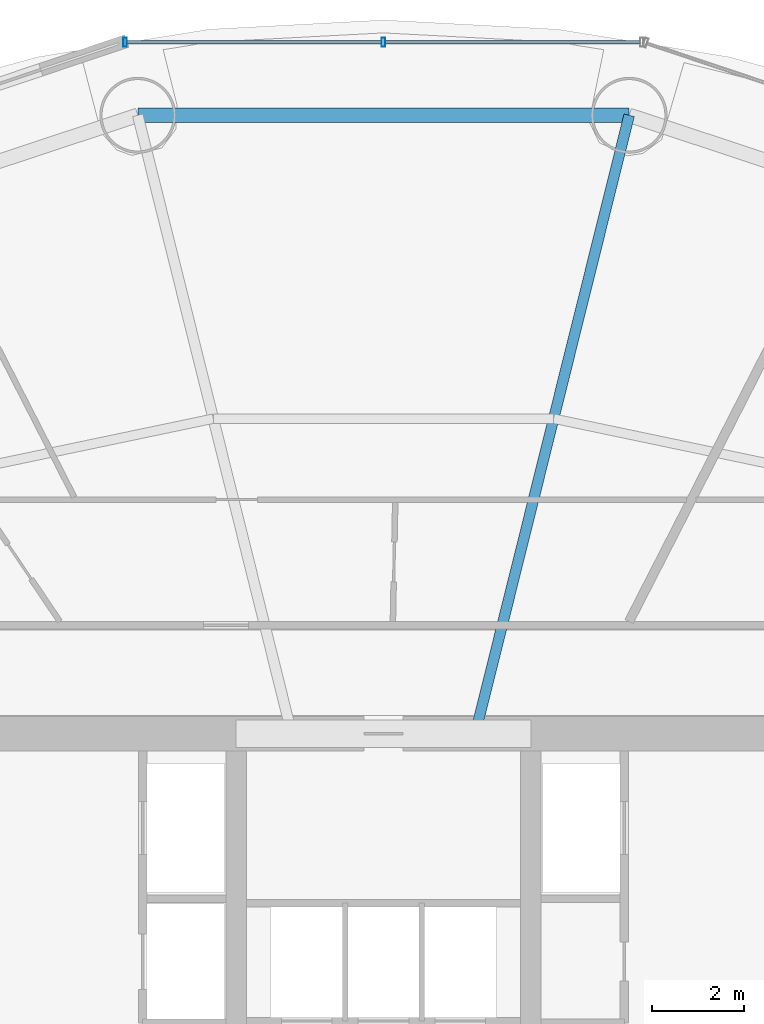
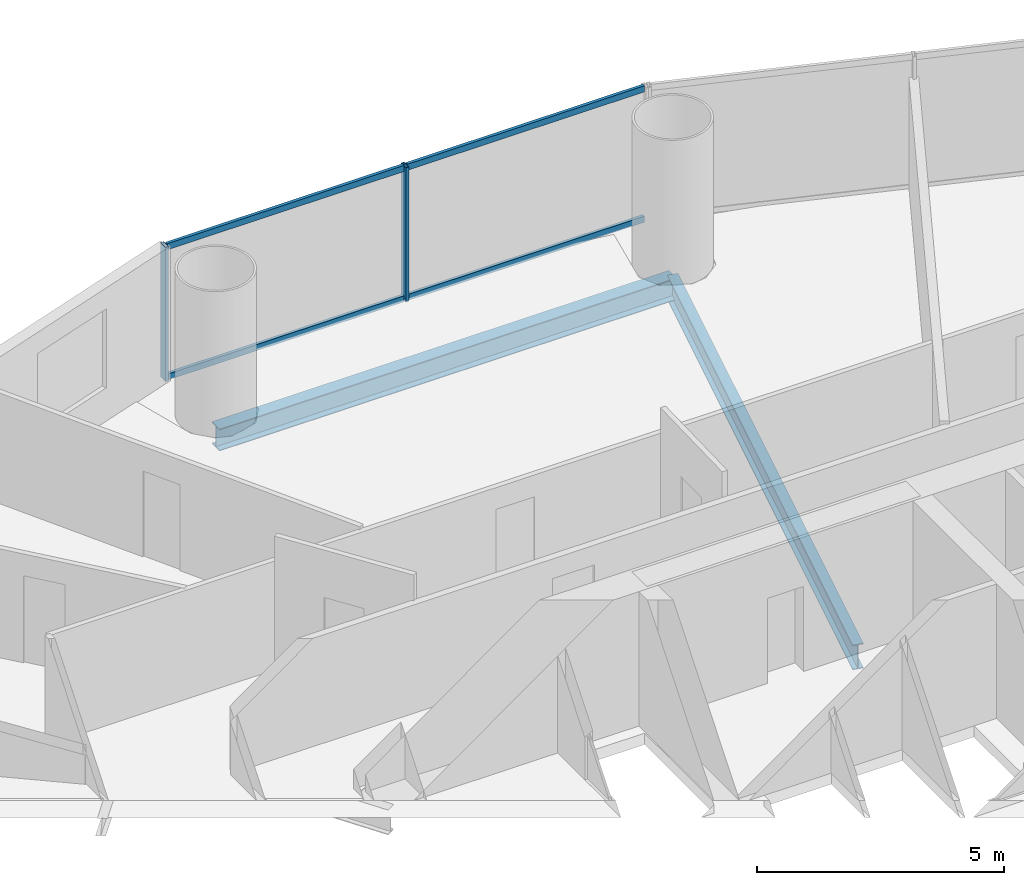
# One storey, part 18 of 30: 6 members, 2 beams, 1 element without a shape of its own.
"""IFC4 building model written with IfcOpenShell, lengths in metres."""

from ifc_helpers import new_model, si_unit, direction, frame, origin, origin_2d, place, context, subcontext, project, spatial, hollow_rectangle, i_section, extrude, source, transform, mapped, material, material_profile, profile_set, type_object, element, aggregate, save


model = new_model("IFC4")

# Units and contexts
model_context = context("Model", 3, precision=1e-05, world=origin(), true_north=direction((-0.2419218956, 0.970295726276)))
body_context = subcontext(model_context, "Body", "Model", "MODEL_VIEW")
ifc_project = project(units=[si_unit("LENGTHUNIT", "METRE"), si_unit("AREAUNIT", "SQUARE_METRE"), si_unit("VOLUMEUNIT", "CUBIC_METRE"), si_unit("PLANEANGLEUNIT", "RADIAN"), si_unit("MASSUNIT", "GRAM", prefix="KILO")], contexts=[model_context])

# Site, building, storey
site_placement = place(None, origin())
site = spatial("IfcSite", under=ifc_project, at=site_placement, CompositionType="ELEMENT")
building_placement = place(site_placement, origin())
building = spatial("IfcBuilding", under=site, at=building_placement, Name="Cobrevalo Terracotta Tower", CompositionType="ELEMENT")
storey_placement = place(building_placement, frame((0.0, 0.0, 31.199951171875)))
storey = spatial("IfcBuildingStorey", under=building, at=storey_placement, Name="L07", CompositionType="ELEMENT", Elevation=31.199951171875)

# Beams
ifc_material_1 = material(Name="Steel S355", Category="steel")
ifc_material_profile_1 = material_profile(ifc_material_1, i_section(OverallWidth=0.22998046875, OverallDepth=0.616943359375, WebThickness=0.01318359375, FlangeThickness=0.022216796875, at=origin_2d()), Name="W 610x140")
ifc_profile_set_1 = profile_set([ifc_material_profile_1], Name="Steel S355")
beam_type_1 = type_object("IfcBeamType", Name="Structural Beam W 610x140 (Steel S355)", PredefinedType="BEAM", material=ifc_profile_set_1)
beam_1_placement = place(storey_placement, frame((43.335693359375, 48.230224609375, -0.58837890625), z_axis=(-0.241596254786, -0.970376859614, 0.0), x_axis=(0.970376859614, -0.241596254786, 0.0)))
element("IfcBeam", 1, at=beam_1_placement, inside=storey, type_object=beam_type_1, Name="L07 radial floor girder 04", PredefinedType="BEAM", context=body_context, shape_type="SweptSolid", body=[
    extrude(i_section(OverallWidth=0.22998046875, OverallDepth=0.616943359375, WebThickness=0.01318359375, FlangeThickness=0.022216796875, at=origin_2d()), origin(), (0.0, 0.0, 1.0), 13.577392578125),
])
ifc_material_profile_2 = material_profile(ifc_material_1, i_section(OverallWidth=0.31201171875, OverallDepth=0.54296875, WebThickness=0.0126953125, FlangeThickness=0.020263671875, at=origin_2d()), Name="W 530x150")
ifc_profile_set_2 = profile_set([ifc_material_profile_2], Name="Steel S355")
beam_type_2 = type_object("IfcBeamType", Name="Structural Spandrel W 530x150 (Steel S355)", PredefinedType="SPANDREL", material=ifc_profile_set_2)
beam_2_placement = place(storey_placement, frame((43.335693359375, 48.230224609375, -0.551513671875), z_axis=(-1.0, 0.0, 0.0), x_axis=(0.0, -1.0, 0.0)))
element("IfcBeam", 2, at=beam_2_placement, inside=storey, type_object=beam_type_2, Name="L07 perimeter ring spandrel 04", PredefinedType="SPANDREL", context=body_context, shape_type="SweptSolid", body=[
    extrude(i_section(OverallWidth=0.31201171875, OverallDepth=0.54296875, WebThickness=0.0126953125, FlangeThickness=0.020263671875, at=origin_2d()), origin(), (0.0, 0.0, 1.0), 10.67138671875),
])

# Curtain wall, members
ifc_material_2 = material(Name="Anodized aluminium", Category="aluminium")
curtain_wall_type = type_object("IfcCurtainWallType", Name="Lower-tower unitised acoustic low-E curtain wall CW-U1", PredefinedType="NOTDEFINED", material=ifc_material_2)
curtain_wall_placement = place(storey_placement, origin())
curtain_wall = element("IfcCurtainWall", 3, at=curtain_wall_placement, inside=storey, type_object=curtain_wall_type, Name="L07 curtain wall CW-L07-S04", PredefinedType="NOTDEFINED")
ifc_material_profile_3 = material_profile(ifc_material_2, hollow_rectangle(XDim=0.074951171875, YDim=0.199951171875, WallThickness=0.0048828125, at=origin_2d()), Name="CWM 75x200")
ifc_profile_set_3 = profile_set([ifc_material_profile_3], Name="Anodized aluminium")
member_type_1 = type_object("IfcMemberType", Name="Lower/mid tower unitised mullion 75x200", PredefinedType="MULLION", material=ifc_profile_set_3)
shared_shape_1 = source(origin(), body_context, "Body", "SweptSolid", [
    extrude(hollow_rectangle(XDim=0.074951171875, YDim=0.199951171875, WallThickness=0.0048828125, at=origin_2d()), origin(), (0.0, 0.0, 1.0), 3.320068359375),
])
member_1_placement = place(storey_placement, frame((38.0, 49.819091796875, 0.0), z_axis=(0.0, 0.0, 1.0), x_axis=(-1.0, 0.0, 0.0)))
member_1 = element("IfcMember", 4, at=member_1_placement, type_object=member_type_1, Name="CW-L07-S04 vertical mullion 02", PredefinedType="MULLION", context=body_context, shape_type="MappedRepresentation", body=[
    mapped(shared_shape_1, transform((0.0, 0.0, 0.0), scale=1.0)),
])
member_2_placement = place(storey_placement, frame((32.38818359375, 49.819091796875, 0.0), z_axis=(0.0, 0.0, 1.0), x_axis=(-1.0, 0.0, 0.0)))
member_2 = element("IfcMember", 5, at=member_2_placement, type_object=member_type_1, Name="CW-L07-S04 vertical mullion 03", PredefinedType="MULLION", context=body_context, shape_type="MappedRepresentation", body=[
    mapped(shared_shape_1, transform((0.0, 0.0, 0.0), scale=1.0)),
])
ifc_material_profile_4 = material_profile(ifc_material_2, hollow_rectangle(XDim=0.074951171875, YDim=0.14990234375, WallThickness=0.00439453125, at=origin_2d()), Name="CWT 75x150")
ifc_profile_set_4 = profile_set([ifc_material_profile_4], Name="Anodized aluminium")
member_type_2 = type_object("IfcMemberType", Name="Tower unitised aluminium transom 75x150", PredefinedType="USERDEFINED", material=ifc_profile_set_4)
shared_shape_2 = source(origin(), body_context, "Body", "SweptSolid", [
    extrude(hollow_rectangle(XDim=0.074951171875, YDim=0.14990234375, WallThickness=0.00439453125, at=origin_2d()), origin(), (0.0, 0.0, 1.0), 5.53173828125),
])
member_3_placement = place(storey_placement, frame((43.57177734375, 49.819091796875, 0.050048828125), z_axis=(-1.0, 0.0, 0.0), x_axis=(0.0, -1.0, 0.0)))
member_3 = element("IfcMember", 6, at=member_3_placement, type_object=member_type_2, Name="CW-L07-S04 transom B01-T1", ObjectType="TRANSOM", PredefinedType="USERDEFINED", context=body_context, shape_type="MappedRepresentation", body=[
    mapped(shared_shape_2, transform((0.0, 0.0, 0.0), scale=1.0)),
])
member_4_placement = place(storey_placement, frame((43.57177734375, 49.819091796875, 3.27001953125), z_axis=(-1.0, 0.0, 0.0), x_axis=(0.0, -1.0, 0.0)))
member_4 = element("IfcMember", 7, at=member_4_placement, type_object=member_type_2, Name="CW-L07-S04 transom B01-T2", ObjectType="TRANSOM", PredefinedType="USERDEFINED", context=body_context, shape_type="MappedRepresentation", body=[
    mapped(shared_shape_2, transform((0.0, 0.0, 0.0), scale=1.0)),
])
member_5_placement = place(storey_placement, frame((37.9599609375, 49.819091796875, 0.050048828125), z_axis=(-1.0, 0.0, 0.0), x_axis=(0.0, -1.0, 0.0)))
member_5 = element("IfcMember", 8, at=member_5_placement, type_object=member_type_2, Name="CW-L07-S04 transom B02-T1", ObjectType="TRANSOM", PredefinedType="USERDEFINED", context=body_context, shape_type="MappedRepresentation", body=[
    mapped(shared_shape_2, transform((0.0, 0.0, 0.0), scale=1.0)),
])
member_6_placement = place(storey_placement, frame((37.9599609375, 49.819091796875, 3.27001953125), z_axis=(-1.0, 0.0, 0.0), x_axis=(0.0, -1.0, 0.0)))
member_6 = element("IfcMember", 9, at=member_6_placement, type_object=member_type_2, Name="CW-L07-S04 transom B02-T2", ObjectType="TRANSOM", PredefinedType="USERDEFINED", context=body_context, shape_type="MappedRepresentation", body=[
    mapped(shared_shape_2, transform((0.0, 0.0, 0.0), scale=1.0)),
])
aggregate(curtain_wall, [member_1, member_2, member_3, member_4, member_5, member_6])

save(model, "model.ifc")
